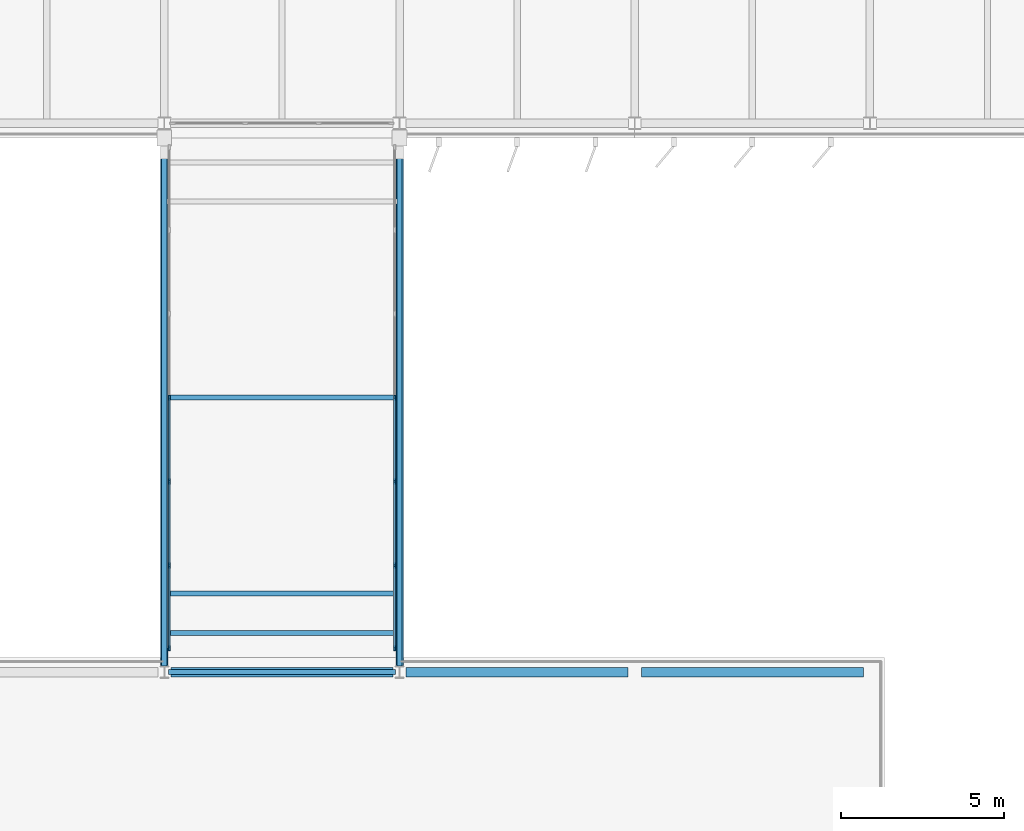
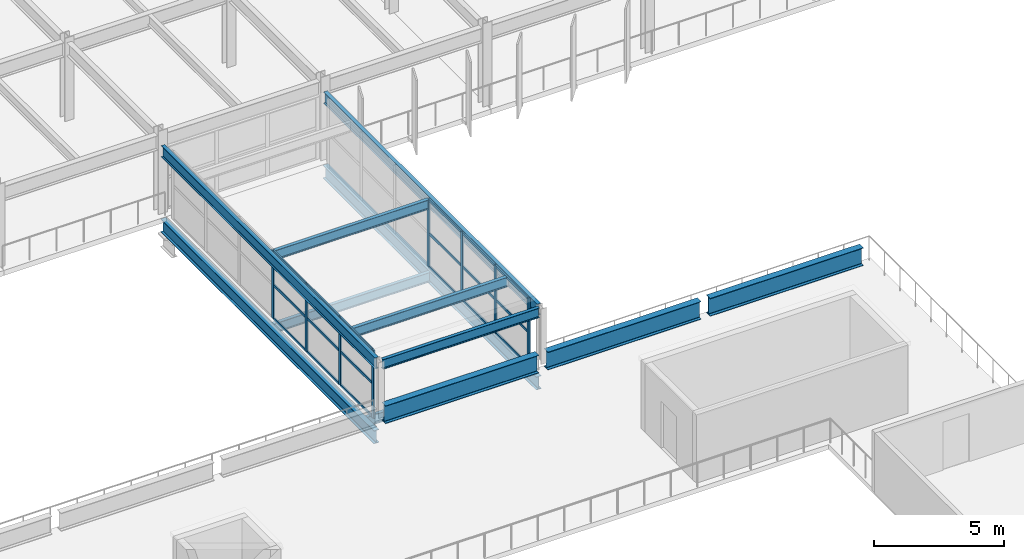
# One storey, part 21 of 93: 26 members, 12 beams, 2 elements without a shape of their own.
"""IFC4 building model written with IfcOpenShell, lengths in metres."""

from ifc_helpers import new_model, si_unit, direction, frame, origin, origin_2d, place, context, subcontext, project, spatial, rectangle, i_section, extrude, material, material_profile, profile_set, type_object, element, aggregate, save


model = new_model("IFC4")

# Units and contexts
model_context = context("Model", 3, precision=1e-05, world=origin(), true_north=direction((0.0, 1.0)))
body_context = subcontext(model_context, "Body", "Model", "MODEL_VIEW")
ifc_project = project(units=[si_unit("LENGTHUNIT", "METRE"), si_unit("AREAUNIT", "SQUARE_METRE"), si_unit("VOLUMEUNIT", "CUBIC_METRE"), si_unit("PLANEANGLEUNIT", "RADIAN"), si_unit("MASSUNIT", "GRAM", prefix="KILO")], contexts=[model_context])

# Site, building, storey
site_placement = place(None, origin())
site = spatial("IfcSite", under=ifc_project, at=site_placement, CompositionType="ELEMENT")
building_placement = place(site_placement, origin())
building = spatial("IfcBuilding", under=site, at=building_placement, Name="Vaelcorin Mobility Hub", CompositionType="ELEMENT")
storey_placement = place(building_placement, frame((0.0, 0.0, 5.39990234375)))
storey = spatial("IfcBuildingStorey", under=building, at=storey_placement, Name="L01", CompositionType="ELEMENT", Elevation=5.39990234375)

# Beams
ifc_material_1 = material(Name="Steel ASTM A992 Grade 50", Category="steel")
ifc_material_profile_1 = material_profile(ifc_material_1, i_section(OverallWidth=0.152099609375, OverallDepth=0.455078125, WebThickness=0.008056640625, FlangeThickness=0.01318359375, FilletRadius=0.012939453125, at=origin_2d()), Name="W18X40")
ifc_profile_set_1 = profile_set([ifc_material_profile_1], Name="Steel ASTM A992 Grade 50")
beam_type_1 = type_object("IfcBeamType", Name="BM-W18X40", PredefinedType="JOIST", material=ifc_profile_set_1)
for number, where, z_axis, x_axis, name in (
    (1, (86.511962890625, 61.199951171875, -0.447998046875), (1.0, 0.0, 0.0), (0.0, 1.0, 0.0), "Link Bridge Floor Cross Beam LB2-BX-1"),
    (2, (86.511962890625, 68.39990234375, -0.447998046875), (1.0, 0.0, 0.0), (0.0, 1.0, 0.0), "Link Bridge Floor Cross Beam LB2-BX-2"),
):
    element("IfcBeam", number, at=place(storey_placement, frame(where, z_axis=z_axis, x_axis=x_axis)), inside=storey, type_object=beam_type_1, Name=name, PredefinedType="JOIST", context=body_context, shape_type="SweptSolid", body=[
        extrude(i_section(OverallWidth=0.152099609375, OverallDepth=0.455078125, WebThickness=0.008056640625, FlangeThickness=0.01318359375, FilletRadius=0.012939453125, at=origin_2d()), origin(), (0.0, 0.0, 1.0), 6.97607421875),
    ])
beam_1_placement = place(storey_placement, frame((86.530029296875, 60.0, 2.97216796875), z_axis=(1.0, 0.0, 0.0), x_axis=(0.0, 1.0, 0.0)))
element("IfcBeam", 3, at=beam_1_placement, inside=storey, type_object=beam_type_1, Name="L01 Beam LB2-RFX-S", PredefinedType="JOIST", context=body_context, shape_type="SweptSolid", body=[
    extrude(i_section(OverallWidth=0.152099609375, OverallDepth=0.455078125, WebThickness=0.008056640625, FlangeThickness=0.01318359375, FilletRadius=0.012939453125, at=origin_2d()), origin(), (0.0, 0.0, 1.0), 6.93994140625),
])
for number, where, z_axis, x_axis, name in (
    (4, (86.48095703125, 62.39990234375, 2.97216796875), (1.0, 0.0, 0.0), (0.0, 1.0, 0.0), "L01 Beam LB2-RFX-1"),
    (5, (86.48095703125, 68.39990234375, 2.97216796875), (1.0, 0.0, 0.0), (0.0, 1.0, 0.0), "L01 Beam LB2-RFX-2"),
):
    element("IfcBeam", number, at=place(storey_placement, frame(where, z_axis=z_axis, x_axis=x_axis)), inside=storey, type_object=beam_type_1, Name=name, PredefinedType="JOIST", context=body_context, shape_type="SweptSolid", body=[
        extrude(i_section(OverallWidth=0.152099609375, OverallDepth=0.455078125, WebThickness=0.008056640625, FlangeThickness=0.01318359375, FilletRadius=0.012939453125, at=origin_2d()), origin(), (0.0, 0.0, 1.0), 7.0380859375),
    ])
ifc_material_profile_2 = material_profile(ifc_material_1, i_section(OverallWidth=0.166015625, OverallDepth=0.528076171875, WebThickness=0.009765625, FlangeThickness=0.013671875, FilletRadius=0.013916015625, at=origin_2d()), Name="W21X50")
ifc_profile_set_2 = profile_set([ifc_material_profile_2], Name="Steel ASTM A992 Grade 50")
beam_type_2 = type_object("IfcBeamType", Name="BM-W21X50", PredefinedType="JOIST", material=ifc_profile_set_2)
for number, where, z_axis, x_axis, name in (
    (6, (86.39990234375, 60.179931640625, 2.93603515625), (0.0, 1.0, 0.0), (-1.0, 0.0, 0.0), "L01 Beam LB2-RFG-W"),
    (7, (93.60009765625, 60.179931640625, 2.93603515625), (0.0, 1.0, 0.0), (-1.0, 0.0, 0.0), "L01 Beam LB2-RFG-E"),
):
    element("IfcBeam", number, at=place(storey_placement, frame(where, z_axis=z_axis, x_axis=x_axis)), inside=storey, type_object=beam_type_2, Name=name, PredefinedType="JOIST", context=body_context, shape_type="SweptSolid", body=[
        extrude(i_section(OverallWidth=0.166015625, OverallDepth=0.528076171875, WebThickness=0.009765625, FlangeThickness=0.013671875, FilletRadius=0.013916015625, at=origin_2d()), origin(), (0.0, 0.0, 1.0), 16.43017578125),
    ])
ifc_material_profile_3 = material_profile(ifc_material_1, i_section(OverallWidth=0.22900390625, OverallDepth=0.612060546875, WebThickness=0.011962890625, FlangeThickness=0.01953125, FilletRadius=0.014892578125, at=origin_2d()), Name="W24X84")
ifc_profile_set_3 = profile_set([ifc_material_profile_3], Name="Steel ASTM A992 Grade 50")
beam_type_3 = type_object("IfcBeamType", Name="BM-W24X84", PredefinedType="BEAM", material=ifc_profile_set_3)
for number, where, z_axis, x_axis, name in (
    (8, (86.39990234375, 60.199951171875, -0.52587890625), (0.0, 1.0, 0.0), (-1.0, 0.0, 0.0), "Link Bridge Girder LB2-W"),
    (9, (93.60009765625, 60.199951171875, -0.52587890625), (0.0, 1.0, 0.0), (-1.0, 0.0, 0.0), "Link Bridge Girder LB2-E"),
):
    element("IfcBeam", number, at=place(storey_placement, frame(where, z_axis=z_axis, x_axis=x_axis)), inside=storey, type_object=beam_type_3, Name=name, PredefinedType="BEAM", context=body_context, shape_type="SweptSolid", body=[
        extrude(i_section(OverallWidth=0.22900390625, OverallDepth=0.612060546875, WebThickness=0.011962890625, FlangeThickness=0.01953125, FilletRadius=0.014892578125, at=origin_2d()), origin(), (0.0, 0.0, 1.0), 16.400146484375),
    ])
ifc_material_profile_4 = material_profile(ifc_material_1, i_section(OverallWidth=0.2919921875, OverallDepth=0.841064453125, WebThickness=0.0146484375, FlangeThickness=0.021728515625, FilletRadius=0.01806640625, at=origin_2d()), Name="W33X130")
ifc_profile_set_4 = profile_set([ifc_material_profile_4], Name="Steel ASTM A992 Grade 50")
beam_type_4 = type_object("IfcBeamType", Name="BM-W33X130", PredefinedType="BEAM", material=ifc_profile_set_4)
beam_2_placement = place(storey_placement, frame((86.60009765625, 60.0, 0.630126953125), z_axis=(1.0, 0.0, 0.0), x_axis=(0.0, 1.0, 0.0)))
element("IfcBeam", 10, at=beam_2_placement, inside=storey, type_object=beam_type_4, Name="L01 Beam V1-EAVE-N-08", PredefinedType="BEAM", context=body_context, shape_type="SweptSolid", body=[
    extrude(i_section(OverallWidth=0.2919921875, OverallDepth=0.841064453125, WebThickness=0.0146484375, FlangeThickness=0.021728515625, FilletRadius=0.01806640625, at=origin_2d()), origin(), (0.0, 0.0, 1.0), 6.7998046875),
])
for number, where, z_axis, x_axis, name in (
    (11, (93.800048828125, 60.0, 0.630126953125), (1.0, 0.0, 0.0), (0.0, 1.0, 0.0), "L01 Beam V1-EAVE-N-09"),
    (12, (101.0, 60.0, 0.630126953125), (1.0, 0.0, 0.0), (0.0, 1.0, 0.0), "L01 Beam V1-EAVE-N-10"),
):
    element("IfcBeam", number, at=place(storey_placement, frame(where, z_axis=z_axis, x_axis=x_axis)), inside=storey, type_object=beam_type_4, Name=name, PredefinedType="BEAM", context=body_context, shape_type="SweptSolid", body=[
        extrude(i_section(OverallWidth=0.2919921875, OverallDepth=0.841064453125, WebThickness=0.0146484375, FlangeThickness=0.021728515625, FilletRadius=0.01806640625, at=origin_2d()), origin(), (0.0, 0.0, 1.0), 6.800048828125),
    ])

# Curtain wall, members
ifc_material_2 = material(Name="Anodised aluminium 6063-T6", Category="aluminium")
curtain_wall_type = type_object("IfcCurtainWallType", Name="CW-BRG-A", PredefinedType="NOTDEFINED", material=ifc_material_2)
curtain_wall_1_placement = place(storey_placement, origin())
curtain_wall_1 = element("IfcCurtainWall", 13, at=curtain_wall_1_placement, inside=storey, type_object=curtain_wall_type, Name="L01 Curtain Wall CW-LB2-W", PredefinedType="NOTDEFINED")
ifc_material_profile_5 = material_profile(ifc_material_2, rectangle(XDim=0.06005859375, YDim=0.159912109375, at=origin_2d()), Name="ALU-M60X160")
ifc_profile_set_5 = profile_set([ifc_material_profile_5], Name="Anodised aluminium 6063-T6")
member_type_1 = type_object("IfcMemberType", Name="CW-MULL-160", PredefinedType="MULLION", material=ifc_profile_set_5)
member_1_placement = place(storey_placement, frame((86.550048828125, 60.72998046875, 0.0), z_axis=(0.0, 0.0, 1.0), x_axis=(-1.0, 0.0, 0.0)))
member_1 = element("IfcMember", 14, at=member_1_placement, type_object=member_type_1, Name="CW8 mullion 1", PredefinedType="MULLION", context=body_context, shape_type="SweptSolid", body=[
    extrude(rectangle(XDim=0.06005859375, YDim=0.159912109375, at=origin_2d()), origin(), (0.0, 0.0, 1.0), 3.2001953125),
])
member_2_placement = place(storey_placement, frame((86.550048828125, 63.2666015625, 0.0), z_axis=(0.0, 0.0, 1.0), x_axis=(-1.0, 0.0, 0.0)))
member_2 = element("IfcMember", 15, at=member_2_placement, type_object=member_type_1, Name="CW8 mullion 2", PredefinedType="MULLION", context=body_context, shape_type="SweptSolid", body=[
    extrude(rectangle(XDim=0.06005859375, YDim=0.159912109375, at=origin_2d()), origin(), (0.0, 0.0, 1.0), 3.2001953125),
])
member_3_placement = place(storey_placement, frame((86.550048828125, 65.833251953125, 0.0), z_axis=(0.0, 0.0, 1.0), x_axis=(-1.0, 0.0, 0.0)))
member_3 = element("IfcMember", 16, at=member_3_placement, type_object=member_type_1, Name="CW8 mullion 3", PredefinedType="MULLION", context=body_context, shape_type="SweptSolid", body=[
    extrude(rectangle(XDim=0.06005859375, YDim=0.159912109375, at=origin_2d()), origin(), (0.0, 0.0, 1.0), 3.2001953125),
])
member_4_placement = place(storey_placement, frame((86.550048828125, 68.39990234375, 0.0), z_axis=(0.0, 0.0, 1.0), x_axis=(-1.0, 0.0, 0.0)))
member_4 = element("IfcMember", 17, at=member_4_placement, type_object=member_type_1, Name="CW8 mullion 4", PredefinedType="MULLION", context=body_context, shape_type="SweptSolid", body=[
    extrude(rectangle(XDim=0.06005859375, YDim=0.159912109375, at=origin_2d()), origin(), (0.0, 0.0, 1.0), 3.2001953125),
])

curtain_wall_2_placement = place(storey_placement, origin())
curtain_wall_2 = element("IfcCurtainWall", 18, at=curtain_wall_2_placement, inside=storey, type_object=curtain_wall_type, Name="L01 Curtain Wall CW-LB2-E", PredefinedType="NOTDEFINED")
member_5_placement = place(storey_placement, frame((93.449951171875, 68.39990234375, 0.0), z_axis=(0.0, 0.0, 1.0), x_axis=(1.0, 0.0, 0.0)))
member_5 = element("IfcMember", 19, at=member_5_placement, type_object=member_type_1, Name="CW8 mullion 4", PredefinedType="MULLION", context=body_context, shape_type="SweptSolid", body=[
    extrude(rectangle(XDim=0.06005859375, YDim=0.159912109375, at=origin_2d()), origin(), (0.0, 0.0, 1.0), 3.2001953125),
])
member_6_placement = place(storey_placement, frame((93.449951171875, 65.833251953125, 0.0), z_axis=(0.0, 0.0, 1.0), x_axis=(1.0, 0.0, 0.0)))
member_6 = element("IfcMember", 20, at=member_6_placement, type_object=member_type_1, Name="CW8 mullion 5", PredefinedType="MULLION", context=body_context, shape_type="SweptSolid", body=[
    extrude(rectangle(XDim=0.06005859375, YDim=0.159912109375, at=origin_2d()), origin(), (0.0, 0.0, 1.0), 3.2001953125),
])
member_7_placement = place(storey_placement, frame((93.449951171875, 63.2666015625, 0.0), z_axis=(0.0, 0.0, 1.0), x_axis=(1.0, 0.0, 0.0)))
member_7 = element("IfcMember", 21, at=member_7_placement, type_object=member_type_1, Name="CW8 mullion 6", PredefinedType="MULLION", context=body_context, shape_type="SweptSolid", body=[
    extrude(rectangle(XDim=0.06005859375, YDim=0.159912109375, at=origin_2d()), origin(), (0.0, 0.0, 1.0), 3.2001953125),
])
member_8_placement = place(storey_placement, frame((93.449951171875, 60.72998046875, 0.0), z_axis=(0.0, 0.0, 1.0), x_axis=(1.0, 0.0, 0.0)))
member_8 = element("IfcMember", 22, at=member_8_placement, type_object=member_type_1, Name="CW8 mullion 7", PredefinedType="MULLION", context=body_context, shape_type="SweptSolid", body=[
    extrude(rectangle(XDim=0.06005859375, YDim=0.159912109375, at=origin_2d()), origin(), (0.0, 0.0, 1.0), 3.2001953125),
])

# Member
ifc_material_profile_6 = material_profile(ifc_material_2, rectangle(XDim=0.06005859375, YDim=0.1201171875, at=origin_2d()), Name="ALU-T60X120")
ifc_profile_set_6 = profile_set([ifc_material_profile_6], Name="Anodised aluminium 6063-T6")
member_type_2 = type_object("IfcMemberType", Name="CW-TRAN-140", PredefinedType="USERDEFINED", material=ifc_profile_set_6)
member_9_placement = place(storey_placement, frame((86.550048828125, 60.760009765625, 0.030029296875), z_axis=(0.0, 1.0, 0.0), x_axis=(-1.0, 0.0, 0.0)))
member_9 = element("IfcMember", 23, at=member_9_placement, type_object=member_type_2, Name="CW8 transom 1.1", ObjectType="TRANSOM", PredefinedType="USERDEFINED", context=body_context, shape_type="SweptSolid", body=[
    extrude(rectangle(XDim=0.06005859375, YDim=0.1201171875, at=origin_2d()), origin(), (0.0, 0.0, 1.0), 2.4765625),
])

member_10_placement = place(storey_placement, frame((86.550048828125, 60.760009765625, 1.60009765625), z_axis=(0.0, 1.0, 0.0), x_axis=(-1.0, 0.0, 0.0)))
member_10 = element("IfcMember", 24, at=member_10_placement, type_object=member_type_2, Name="CW8 transom 1.2", ObjectType="TRANSOM", PredefinedType="USERDEFINED", context=body_context, shape_type="SweptSolid", body=[
    extrude(rectangle(XDim=0.06005859375, YDim=0.1201171875, at=origin_2d()), origin(), (0.0, 0.0, 1.0), 2.4765625),
])

member_11_placement = place(storey_placement, frame((86.550048828125, 60.760009765625, 3.170166015625), z_axis=(0.0, 1.0, 0.0), x_axis=(-1.0, 0.0, 0.0)))
member_11 = element("IfcMember", 25, at=member_11_placement, type_object=member_type_2, Name="CW8 transom 1.3", ObjectType="TRANSOM", PredefinedType="USERDEFINED", context=body_context, shape_type="SweptSolid", body=[
    extrude(rectangle(XDim=0.06005859375, YDim=0.1201171875, at=origin_2d()), origin(), (0.0, 0.0, 1.0), 2.4765625),
])

member_12_placement = place(storey_placement, frame((86.550048828125, 63.296630859375, 0.030029296875), z_axis=(0.0, 1.0, 0.0), x_axis=(-1.0, 0.0, 0.0)))
member_12 = element("IfcMember", 26, at=member_12_placement, type_object=member_type_2, Name="CW8 transom 2.1", ObjectType="TRANSOM", PredefinedType="USERDEFINED", context=body_context, shape_type="SweptSolid", body=[
    extrude(rectangle(XDim=0.06005859375, YDim=0.1201171875, at=origin_2d()), origin(), (0.0, 0.0, 1.0), 2.506591796875),
])

member_13_placement = place(storey_placement, frame((86.550048828125, 63.296630859375, 1.60009765625), z_axis=(0.0, 1.0, 0.0), x_axis=(-1.0, 0.0, 0.0)))
member_13 = element("IfcMember", 27, at=member_13_placement, type_object=member_type_2, Name="CW8 transom 2.2", ObjectType="TRANSOM", PredefinedType="USERDEFINED", context=body_context, shape_type="SweptSolid", body=[
    extrude(rectangle(XDim=0.06005859375, YDim=0.1201171875, at=origin_2d()), origin(), (0.0, 0.0, 1.0), 2.506591796875),
])

member_14_placement = place(storey_placement, frame((86.550048828125, 63.296630859375, 3.170166015625), z_axis=(0.0, 1.0, 0.0), x_axis=(-1.0, 0.0, 0.0)))
member_14 = element("IfcMember", 28, at=member_14_placement, type_object=member_type_2, Name="CW8 transom 2.3", ObjectType="TRANSOM", PredefinedType="USERDEFINED", context=body_context, shape_type="SweptSolid", body=[
    extrude(rectangle(XDim=0.06005859375, YDim=0.1201171875, at=origin_2d()), origin(), (0.0, 0.0, 1.0), 2.506591796875),
])

member_15_placement = place(storey_placement, frame((86.550048828125, 65.86328125, 0.030029296875), z_axis=(0.0, 1.0, 0.0), x_axis=(-1.0, 0.0, 0.0)))
member_15 = element("IfcMember", 29, at=member_15_placement, type_object=member_type_2, Name="CW8 transom 3.1", ObjectType="TRANSOM", PredefinedType="USERDEFINED", context=body_context, shape_type="SweptSolid", body=[
    extrude(rectangle(XDim=0.06005859375, YDim=0.1201171875, at=origin_2d()), origin(), (0.0, 0.0, 1.0), 2.5068359375),
])

member_16_placement = place(storey_placement, frame((86.550048828125, 65.86328125, 1.60009765625), z_axis=(0.0, 1.0, 0.0), x_axis=(-1.0, 0.0, 0.0)))
member_16 = element("IfcMember", 30, at=member_16_placement, type_object=member_type_2, Name="CW8 transom 3.2", ObjectType="TRANSOM", PredefinedType="USERDEFINED", context=body_context, shape_type="SweptSolid", body=[
    extrude(rectangle(XDim=0.06005859375, YDim=0.1201171875, at=origin_2d()), origin(), (0.0, 0.0, 1.0), 2.5068359375),
])

member_17_placement = place(storey_placement, frame((86.550048828125, 65.86328125, 3.170166015625), z_axis=(0.0, 1.0, 0.0), x_axis=(-1.0, 0.0, 0.0)))
member_17 = element("IfcMember", 31, at=member_17_placement, type_object=member_type_2, Name="CW8 transom 3.3", ObjectType="TRANSOM", PredefinedType="USERDEFINED", context=body_context, shape_type="SweptSolid", body=[
    extrude(rectangle(XDim=0.06005859375, YDim=0.1201171875, at=origin_2d()), origin(), (0.0, 0.0, 1.0), 2.5068359375),
])

aggregate(curtain_wall_1, [member_1, member_2, member_3, member_4, member_9, member_10, member_11, member_12, member_13, member_14, member_15, member_16, member_17])

member_18_placement = place(storey_placement, frame((93.449951171875, 68.3701171875, 0.030029296875), z_axis=(0.0, -1.0, 0.0), x_axis=(1.0, 0.0, 0.0)))
member_18 = element("IfcMember", 32, at=member_18_placement, type_object=member_type_2, Name="CW8 transom 4.1", ObjectType="TRANSOM", PredefinedType="USERDEFINED", context=body_context, shape_type="SweptSolid", body=[
    extrude(rectangle(XDim=0.06005859375, YDim=0.1201171875, at=origin_2d()), origin(), (0.0, 0.0, 1.0), 2.5068359375),
])

member_19_placement = place(storey_placement, frame((93.449951171875, 68.3701171875, 1.60009765625), z_axis=(0.0, -1.0, 0.0), x_axis=(1.0, 0.0, 0.0)))
member_19 = element("IfcMember", 33, at=member_19_placement, type_object=member_type_2, Name="CW8 transom 4.2", ObjectType="TRANSOM", PredefinedType="USERDEFINED", context=body_context, shape_type="SweptSolid", body=[
    extrude(rectangle(XDim=0.06005859375, YDim=0.1201171875, at=origin_2d()), origin(), (0.0, 0.0, 1.0), 2.5068359375),
])

member_20_placement = place(storey_placement, frame((93.449951171875, 68.3701171875, 3.170166015625), z_axis=(0.0, -1.0, 0.0), x_axis=(1.0, 0.0, 0.0)))
member_20 = element("IfcMember", 34, at=member_20_placement, type_object=member_type_2, Name="CW8 transom 4.3", ObjectType="TRANSOM", PredefinedType="USERDEFINED", context=body_context, shape_type="SweptSolid", body=[
    extrude(rectangle(XDim=0.06005859375, YDim=0.1201171875, at=origin_2d()), origin(), (0.0, 0.0, 1.0), 2.5068359375),
])

member_21_placement = place(storey_placement, frame((93.449951171875, 65.80322265625, 0.030029296875), z_axis=(0.0, -1.0, 0.0), x_axis=(1.0, 0.0, 0.0)))
member_21 = element("IfcMember", 35, at=member_21_placement, type_object=member_type_2, Name="CW8 transom 5.1", ObjectType="TRANSOM", PredefinedType="USERDEFINED", context=body_context, shape_type="SweptSolid", body=[
    extrude(rectangle(XDim=0.06005859375, YDim=0.1201171875, at=origin_2d()), origin(), (0.0, 0.0, 1.0), 2.506591796875),
])

member_22_placement = place(storey_placement, frame((93.449951171875, 65.80322265625, 1.60009765625), z_axis=(0.0, -1.0, 0.0), x_axis=(1.0, 0.0, 0.0)))
member_22 = element("IfcMember", 36, at=member_22_placement, type_object=member_type_2, Name="CW8 transom 5.2", ObjectType="TRANSOM", PredefinedType="USERDEFINED", context=body_context, shape_type="SweptSolid", body=[
    extrude(rectangle(XDim=0.06005859375, YDim=0.1201171875, at=origin_2d()), origin(), (0.0, 0.0, 1.0), 2.506591796875),
])

member_23_placement = place(storey_placement, frame((93.449951171875, 65.80322265625, 3.170166015625), z_axis=(0.0, -1.0, 0.0), x_axis=(1.0, 0.0, 0.0)))
member_23 = element("IfcMember", 37, at=member_23_placement, type_object=member_type_2, Name="CW8 transom 5.3", ObjectType="TRANSOM", PredefinedType="USERDEFINED", context=body_context, shape_type="SweptSolid", body=[
    extrude(rectangle(XDim=0.06005859375, YDim=0.1201171875, at=origin_2d()), origin(), (0.0, 0.0, 1.0), 2.506591796875),
])

member_24_placement = place(storey_placement, frame((93.449951171875, 63.236572265625, 0.030029296875), z_axis=(0.0, -1.0, 0.0), x_axis=(1.0, 0.0, 0.0)))
member_24 = element("IfcMember", 38, at=member_24_placement, type_object=member_type_2, Name="CW8 transom 6.1", ObjectType="TRANSOM", PredefinedType="USERDEFINED", context=body_context, shape_type="SweptSolid", body=[
    extrude(rectangle(XDim=0.06005859375, YDim=0.1201171875, at=origin_2d()), origin(), (0.0, 0.0, 1.0), 2.4765625),
])

member_25_placement = place(storey_placement, frame((93.449951171875, 63.236572265625, 1.60009765625), z_axis=(0.0, -1.0, 0.0), x_axis=(1.0, 0.0, 0.0)))
member_25 = element("IfcMember", 39, at=member_25_placement, type_object=member_type_2, Name="CW8 transom 6.2", ObjectType="TRANSOM", PredefinedType="USERDEFINED", context=body_context, shape_type="SweptSolid", body=[
    extrude(rectangle(XDim=0.06005859375, YDim=0.1201171875, at=origin_2d()), origin(), (0.0, 0.0, 1.0), 2.4765625),
])

member_26_placement = place(storey_placement, frame((93.449951171875, 63.236572265625, 3.170166015625), z_axis=(0.0, -1.0, 0.0), x_axis=(1.0, 0.0, 0.0)))
member_26 = element("IfcMember", 40, at=member_26_placement, type_object=member_type_2, Name="CW8 transom 6.3", ObjectType="TRANSOM", PredefinedType="USERDEFINED", context=body_context, shape_type="SweptSolid", body=[
    extrude(rectangle(XDim=0.06005859375, YDim=0.1201171875, at=origin_2d()), origin(), (0.0, 0.0, 1.0), 2.4765625),
])

aggregate(curtain_wall_2, [member_5, member_6, member_7, member_8, member_18, member_19, member_20, member_21, member_22, member_23, member_24, member_25, member_26])

save(model, "model.ifc")
